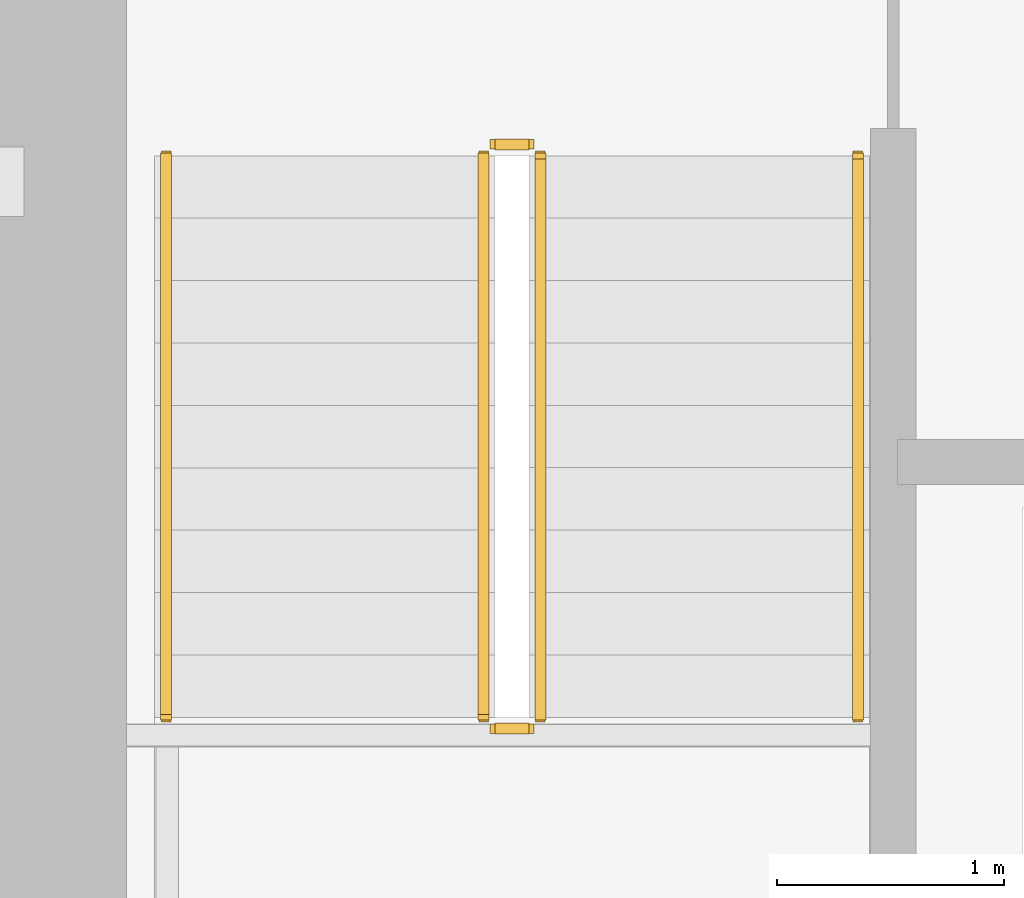
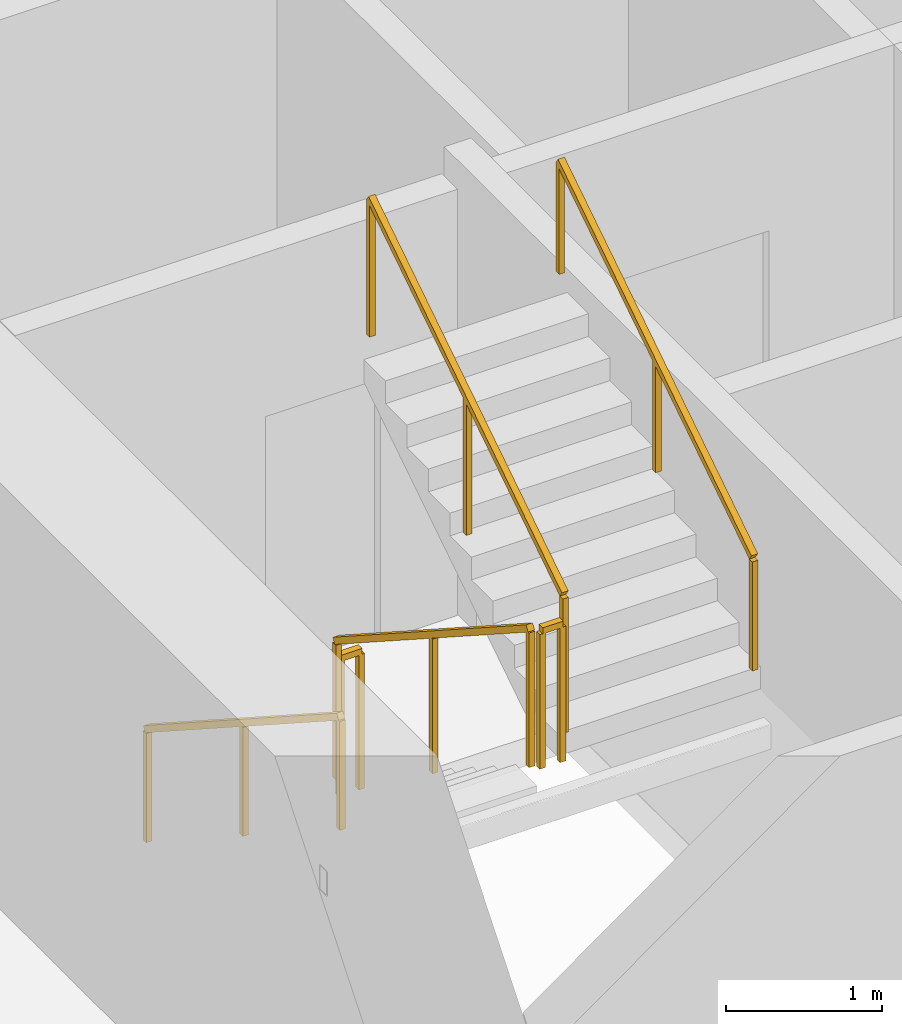
# One storey, part 10 of 12: 6 railings.
"""IFC4 building model written with IfcOpenShell, lengths in metres."""

from ifc_helpers import new_model, si_unit, direction, frame, origin, origin_2d, place, context, subcontext, project, spatial, rectangle, extrude, material, type_object, element, save


model = new_model("IFC4")

# Units and contexts
model_context = context("Model", 3, precision=1e-05, world=origin(), true_north=direction((0.0, 1.0)))
body_context = subcontext(model_context, "Body", "Model", "MODEL_VIEW")
ifc_project = project(units=[si_unit("LENGTHUNIT", "METRE"), si_unit("AREAUNIT", "SQUARE_METRE"), si_unit("VOLUMEUNIT", "CUBIC_METRE"), si_unit("PLANEANGLEUNIT", "RADIAN"), si_unit("MASSUNIT", "GRAM", prefix="KILO")], contexts=[model_context])

# Site, building, storey
site_placement = place(None, origin())
site = spatial("IfcSite", under=ifc_project, at=site_placement, CompositionType="ELEMENT")
building_placement = place(site_placement, origin())
building = spatial("IfcBuilding", under=site, at=building_placement, Name="Cinnabar Lancet Tower", CompositionType="ELEMENT")
storey_placement = place(building_placement, frame((0.0, 0.0, 32.0)))
storey = spatial("IfcBuildingStorey", under=building, at=storey_placement, Name="L07", CompositionType="ELEMENT", Elevation=32.0)

# Railings
ifc_material_1 = material(Name="Painted galvanized steel balustrade", Category="steel")
railing_type_1 = type_object("IfcRailingType", Name="GUARD-STAIR", PredefinedType="GUARDRAIL", material=ifc_material_1)
railing_1_placement = place(storey_placement, frame((24.97509765625, 28.39990234375, 0.177490234375)))
element("IfcRailing", 1, at=railing_1_placement, inside=storey, type_object=railing_type_1, Name="L07 ST-1 stair guard 1", PredefinedType="GUARDRAIL", context=body_context, shape_type="SweptSolid", body=[
    extrude(rectangle(XDim=0.048095703125, YDim=0.048095703125, at=origin_2d()), frame((0.0, 0.0, 1.076171875), z_axis=(0.0, -0.840183358697, 0.542302428327), x_axis=(1.0, 0.0, 0.0)), (0.0, 0.0, 1.0), 2.945556640625),
    extrude(rectangle(XDim=0.0419921875, YDim=0.0419921875, at=origin_2d()), origin(), (0.0, 0.0, 1.0), 1.052001953125),
    extrude(rectangle(XDim=0.0419921875, YDim=0.0419921875, at=origin_2d()), frame((0.0, -1.2373046875, 0.798828125)), (0.0, 0.0, 1.0), 1.052001953125),
    extrude(rectangle(XDim=0.0419921875, YDim=0.0419921875, at=origin_2d()), frame((0.0, -2.474853515625, 1.597412109375)), (0.0, 0.0, 1.0), 1.052001953125),
])
railing_2_placement = place(storey_placement, frame((25.02490234375, 25.875, 1.77490234375)))
element("IfcRailing", 2, at=railing_2_placement, inside=storey, type_object=railing_type_1, Name="L07 ST-1 stair guard 2", PredefinedType="GUARDRAIL", context=body_context, shape_type="SweptSolid", body=[
    extrude(rectangle(XDim=0.048095703125, YDim=0.048095703125, at=origin_2d()), frame((0.0, 0.0, 1.076171875), z_axis=(1.0, 0.0, 0.0), x_axis=(0.0, 1.0, 0.0)), (0.0, 0.0, 1.0), 0.150146484375),
    extrude(rectangle(XDim=0.0419921875, YDim=0.0419921875, at=origin_2d()), origin(), (0.0, 0.0, 1.0), 1.052001953125),
    extrude(rectangle(XDim=0.0419921875, YDim=0.0419921875, at=origin_2d()), frame((0.150146484375, 0.0, 0.0)), (0.0, 0.0, 1.0), 1.052001953125),
])
railing_3_placement = place(storey_placement, frame((25.22509765625, 25.925048828125, 1.952392578125)))
element("IfcRailing", 3, at=railing_3_placement, inside=storey, type_object=railing_type_1, Name="L07 ST-1 stair guard 3", PredefinedType="GUARDRAIL", context=body_context, shape_type="SweptSolid", body=[
    extrude(rectangle(XDim=0.048095703125, YDim=0.048095703125, at=origin_2d()), frame((0.0, 0.0, 1.076171875), z_axis=(0.0, 0.84014559416, 0.542360932049), x_axis=(-1.0, 0.0, 0.0)), (0.0, 0.0, 1.0), 2.94580078125),
    extrude(rectangle(XDim=0.0419921875, YDim=0.0419921875, at=origin_2d()), origin(), (0.0, 0.0, 1.0), 1.052001953125),
    extrude(rectangle(XDim=0.0419921875, YDim=0.0419921875, at=origin_2d()), frame((0.0, 1.2373046875, 0.798828125)), (0.0, 0.0, 1.0), 1.052001953125),
    extrude(rectangle(XDim=0.0419921875, YDim=0.0419921875, at=origin_2d()), frame((0.0, 2.474853515625, 1.59765625)), (0.0, 0.0, 1.0), 1.052001953125),
])
railing_4_placement = place(storey_placement, frame((25.02490234375, 28.449951171875, 0.0)))
element("IfcRailing", 4, at=railing_4_placement, inside=storey, type_object=railing_type_1, Name="L07 ST-1 stair guard 4", PredefinedType="GUARDRAIL", context=body_context, shape_type="SweptSolid", body=[
    extrude(rectangle(XDim=0.048095703125, YDim=0.048095703125, at=origin_2d()), frame((0.0, 0.0, 1.076171875), z_axis=(1.0, 0.0, 0.0), x_axis=(0.0, 1.0, 0.0)), (0.0, 0.0, 1.0), 0.150146484375),
    extrude(rectangle(XDim=0.0419921875, YDim=0.0419921875, at=origin_2d()), origin(), (0.0, 0.0, 1.0), 1.052001953125),
    extrude(rectangle(XDim=0.0419921875, YDim=0.0419921875, at=origin_2d()), frame((0.150146484375, 0.0, 0.0)), (0.0, 0.0, 1.0), 1.052001953125),
])
ifc_material_2 = material(Name="Brushed stainless steel handrail", Category="steel")
railing_type_2 = type_object("IfcRailingType", Name="HANDRAIL-STAIR", PredefinedType="HANDRAIL", material=ifc_material_2)
railing_5_placement = place(storey_placement, frame((23.574951171875, 28.39990234375, 0.177490234375)))
element("IfcRailing", 5, at=railing_5_placement, inside=storey, type_object=railing_type_2, Name="L07 ST-1 stair handrail 1", PredefinedType="HANDRAIL", context=body_context, shape_type="SweptSolid", body=[
    extrude(rectangle(XDim=0.048095703125, YDim=0.048095703125, at=origin_2d()), frame((0.0, 0.0, 0.8759765625), z_axis=(0.0, -0.840183358697, 0.542302428327), x_axis=(1.0, 0.0, 0.0)), (0.0, 0.0, 1.0), 2.945556640625),
    extrude(rectangle(XDim=0.0419921875, YDim=0.0419921875, at=origin_2d()), origin(), (0.0, 0.0, 1.0), 0.851806640625),
    extrude(rectangle(XDim=0.0419921875, YDim=0.0419921875, at=origin_2d()), frame((0.0, -1.2373046875, 0.798828125)), (0.0, 0.0, 1.0), 0.851806640625),
    extrude(rectangle(XDim=0.0419921875, YDim=0.0419921875, at=origin_2d()), frame((0.0, -2.474853515625, 1.597412109375)), (0.0, 0.0, 1.0), 0.851806640625),
])
railing_6_placement = place(storey_placement, frame((26.625, 25.925048828125, 1.952392578125)))
element("IfcRailing", 6, at=railing_6_placement, inside=storey, type_object=railing_type_2, Name="L07 ST-1 stair handrail 2", PredefinedType="HANDRAIL", context=body_context, shape_type="SweptSolid", body=[
    extrude(rectangle(XDim=0.048095703125, YDim=0.048095703125, at=origin_2d()), frame((0.0, 0.0, 0.8759765625), z_axis=(0.0, 0.84014559416, 0.542360932049), x_axis=(-1.0, 0.0, 0.0)), (0.0, 0.0, 1.0), 2.94580078125),
    extrude(rectangle(XDim=0.0419921875, YDim=0.0419921875, at=origin_2d()), origin(), (0.0, 0.0, 1.0), 0.851806640625),
    extrude(rectangle(XDim=0.0419921875, YDim=0.0419921875, at=origin_2d()), frame((0.0, 1.2373046875, 0.798828125)), (0.0, 0.0, 1.0), 0.851806640625),
    extrude(rectangle(XDim=0.0419921875, YDim=0.0419921875, at=origin_2d()), frame((0.0, 2.474853515625, 1.59765625)), (0.0, 0.0, 1.0), 0.851806640625),
])

save(model, "model.ifc")
